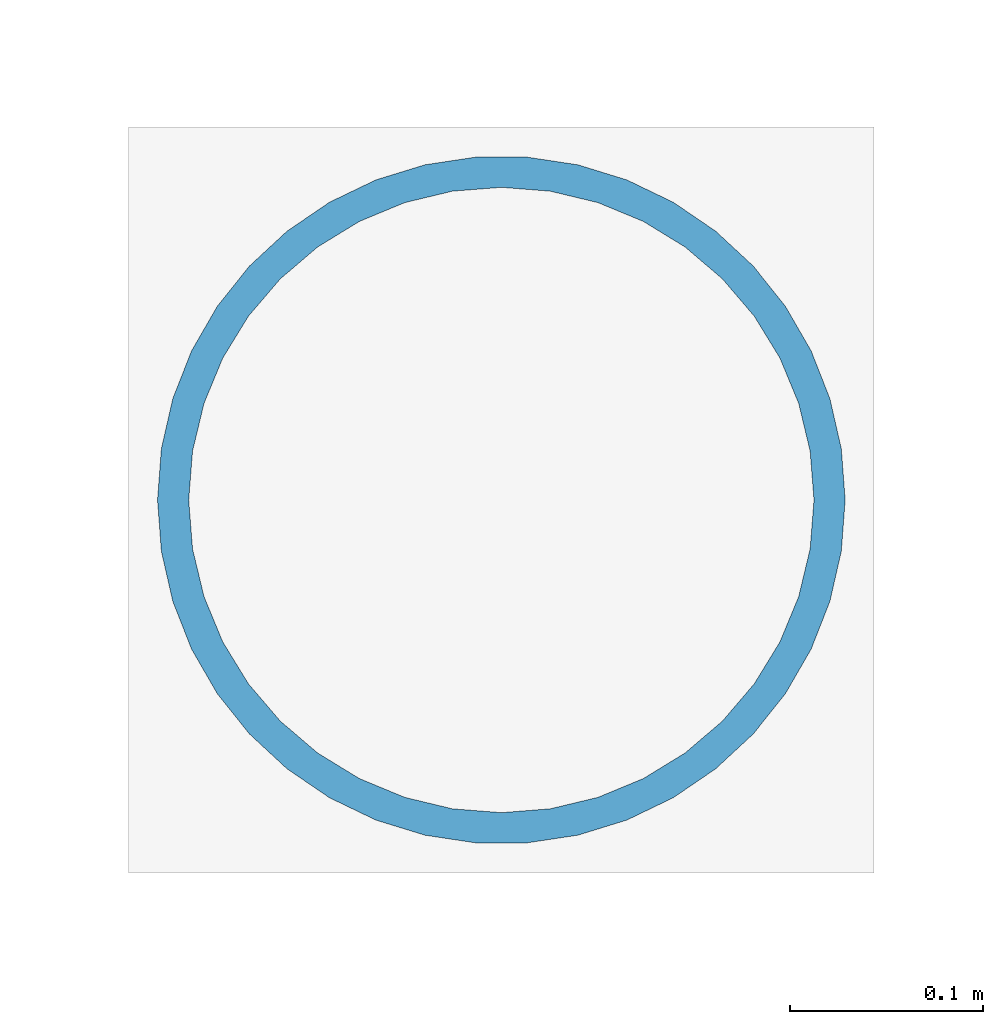
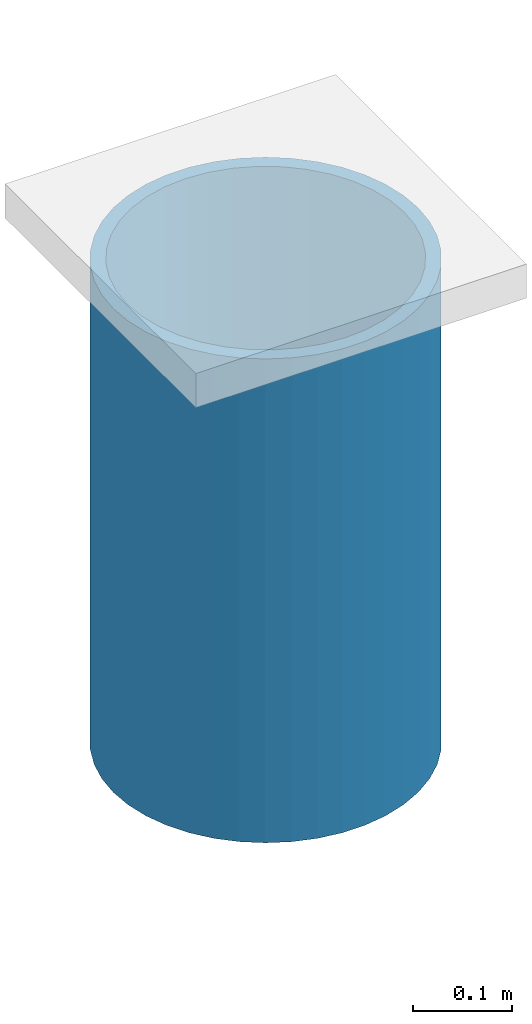
# One storey, part 23 of 122: 1 column.
"""IFC4 building model written with IfcOpenShell, lengths in metres."""

from ifc_helpers import new_model, si_unit, direction, frame, origin, origin_2d, place, context, subcontext, project, spatial, hollow_circle, extrude, material, material_profile, profile_set, type_object, element, save


model = new_model("IFC4")

# Units and contexts
model_context = context("Model", 3, precision=1e-05, world=origin(), true_north=direction((0.0, 1.0)))
body_context = subcontext(model_context, "Body", "Model", "MODEL_VIEW")
ifc_project = project(units=[si_unit("LENGTHUNIT", "METRE"), si_unit("AREAUNIT", "SQUARE_METRE"), si_unit("VOLUMEUNIT", "CUBIC_METRE"), si_unit("PLANEANGLEUNIT", "RADIAN"), si_unit("MASSUNIT", "GRAM", prefix="KILO"), si_unit("THERMODYNAMICTEMPERATUREUNIT", "KELVIN"), si_unit("POWERUNIT", "WATT")], contexts=[model_context])

# Site, building, storey
site_placement = place(None, origin())
site = spatial("IfcSite", under=ifc_project, at=site_placement, CompositionType="ELEMENT")
building_placement = place(site_placement, origin())
building = spatial("IfcBuilding", under=site, at=building_placement, Name="Korenveer Ferry Terminal", CompositionType="ELEMENT")
storey_placement = place(building_placement, frame((0.0, 0.0, 10.199951171875)))
storey = spatial("IfcBuildingStorey", under=building, at=storey_placement, Name="L02", CompositionType="ELEMENT", Elevation=10.199951171875)

# Column
ifc_material = material(Name="Steel S355", Category="steel")
ifc_material_profile = material_profile(ifc_material, hollow_circle(Radius=0.177734375, WallThickness=0.01611328125, at=origin_2d()), Name="CHS 355.6x16")
ifc_profile_set = profile_set([ifc_material_profile], Name="Steel S355")
column_type = type_object("IfcColumnType", Name="STR-COL-CHS355", PredefinedType="COLUMN", material=ifc_profile_set)
column_placement = place(storey_placement, frame((113.0, 20.0, 0.001953125), z_axis=(0.0, 0.0, 1.0), x_axis=(1.0, 0.0, 0.0)))
element("IfcColumn", 1, at=column_placement, inside=storey, type_object=column_type, Name="Folded roof valley support column RCOL-X113-Y20", PredefinedType="COLUMN", context=body_context, shape_type="SweptSolid", body=[
    extrude(hollow_circle(Radius=0.177734375, WallThickness=0.01611328125, at=origin_2d()), origin(), (0.0, 0.0, 1.0), 0.596435546875),
])

save(model, "model.ifc")
